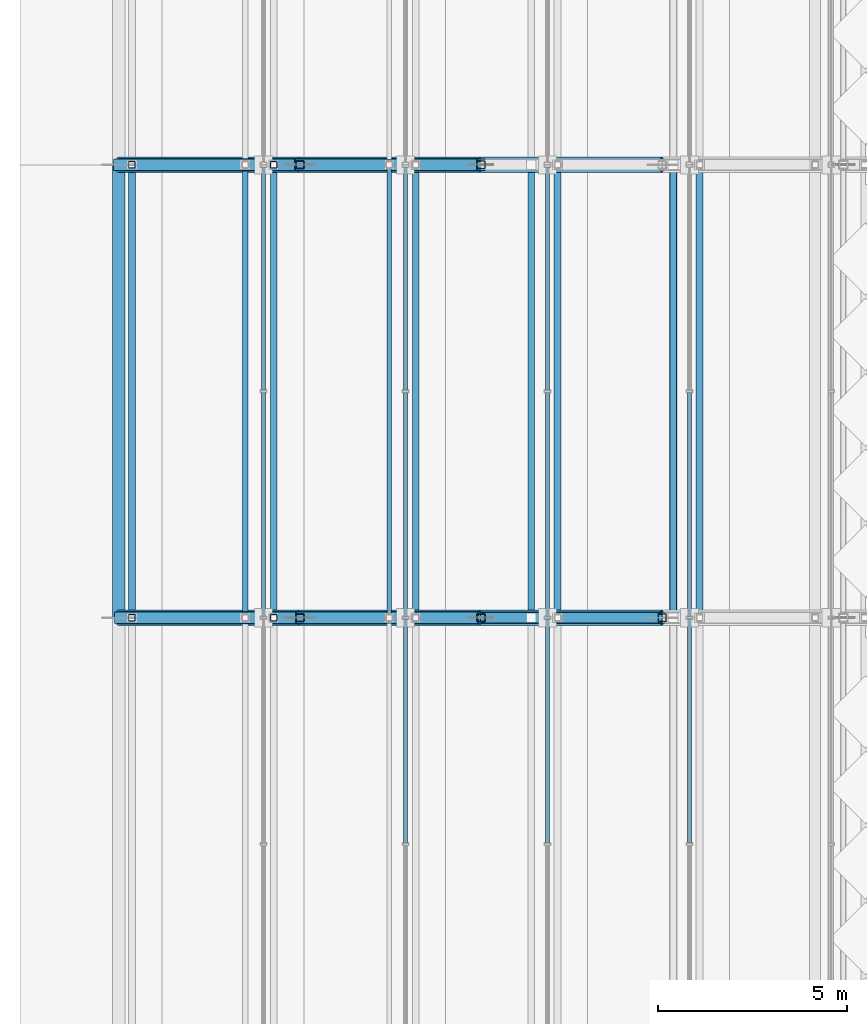
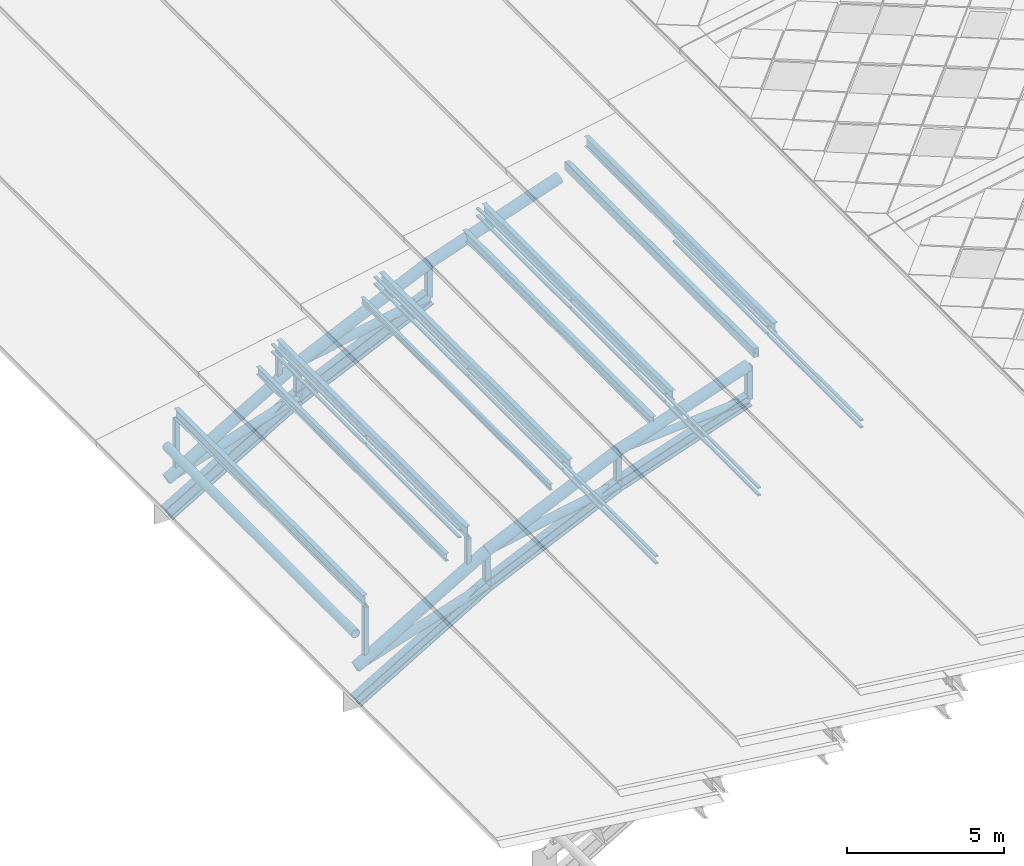
# One storey, part 15 of 117: 54 members, 1 beam, 4 elements without a shape of their own.
"""IFC4 building model written with IfcOpenShell, lengths in metres."""

import ifcopenshell
import ifcopenshell.guid

model = None  # the IFC model being written
_history = None  # IfcOwnerHistory: only IFC2X3 demands one
_inside = {}  # id of a spatial element -> (the spatial element, [elements in it])
_under = {}  # id of a project, library or spatial element -> (it, [spatial elements below it])
_declared = {}  # id of a project -> (the project, [libraries it declares])
_typed = {}  # id of a type object -> (the type object, [elements of that type])
_made_of = {}  # id of a material, layer set ... -> (it, [elements and type objects made of it])


def new_model(schema):
    """Start an empty IFC model of exactly this schema.

    Asked for "IFC4X3", IfcOpenShell would pick the latest addendum, in which some entities
    have other attributes; the version numbers below select the first issue.
    IFC2X3 requires an IfcOwnerHistory on every rooted entity: one is made here for all.
    """
    global model, _history
    if schema == "IFC4X3":
        model = ifcopenshell.file(schema_version=(4, 3, 0, 0))
    else:
        model = ifcopenshell.file(schema=schema)
    _inside.clear()
    _under.clear()
    _declared.clear()
    _typed.clear()
    _made_of.clear()
    _history = None
    if model.schema == "IFC2X3":
        org = make("IfcOrganization", Name="unknown")
        user = make(
            "IfcPersonAndOrganization",
            ThePerson=make("IfcPerson", FamilyName="unknown"),
            TheOrganization=org,
        )
        app = make(
            "IfcApplication",
            ApplicationDeveloper=org,
            Version="unknown",
            ApplicationFullName="unknown",
            ApplicationIdentifier="unknown",
        )
        _history = make(
            "IfcOwnerHistory",
            OwningUser=user,
            OwningApplication=app,
            ChangeAction="ADDED",
            CreationDate=0,
        )
    return model


def make(cls, **values):
    """One entity of the class cls with the attributes given. An attribute that is None is left unset."""
    return model.create_entity(
        cls, **{name: value for name, value in values.items() if value is not None}
    )


def rooted(cls, **values):
    """An entity with a GlobalId (a new one), such as an element, a storey or a relation."""
    return make(cls, GlobalId=ifcopenshell.guid.new(), OwnerHistory=_history, **values)


def si_unit(unit_type, name, prefix=None):
    """IfcSIUnit, for example si_unit("LENGTHUNIT", "METRE", prefix="MILLI")."""
    return make("IfcSIUnit", UnitType=unit_type, Prefix=prefix, Name=name)


def assignment(units):
    """IfcUnitAssignment: the units of a project."""
    return None if units is None else make("IfcUnitAssignment", Units=units)


def point(xyz):
    """IfcCartesianPoint."""
    return None if xyz is None else make("IfcCartesianPoint", Coordinates=xyz)


def direction(xyz):
    """IfcDirection."""
    return None if xyz is None else make("IfcDirection", DirectionRatios=xyz)


def frame(location, z_axis=None, x_axis=None):
    """IfcAxis2Placement3D, a coordinate frame: its origin and axes. An axis left out is left unset."""
    return make(
        "IfcAxis2Placement3D",
        Location=point(location),
        Axis=direction(z_axis),
        RefDirection=direction(x_axis),
    )


def frame_2d(location, x_axis=None):
    """IfcAxis2Placement2D, a coordinate frame in the plane: its origin and x axis."""
    return make(
        "IfcAxis2Placement2D", Location=point(location), RefDirection=direction(x_axis)
    )


def origin():
    """The frame at (0, 0, 0) with its axes left unset."""
    return frame((0.0, 0.0, 0.0))


def origin_2d():
    """The frame at (0, 0) in the plane with its x axis left unset."""
    return frame_2d((0.0, 0.0))


def place(relative_to, where):
    """IfcLocalPlacement: puts the frame where relative to a parent placement (None: the world)."""
    return make(
        "IfcLocalPlacement", PlacementRelTo=relative_to, RelativePlacement=where
    )


def context(
    kind, dimensions, precision=None, world=None, true_north=None, identifier=None
):
    """IfcGeometricRepresentationContext, for example the 3D "Model" context."""
    return make(
        "IfcGeometricRepresentationContext",
        ContextIdentifier=identifier,
        ContextType=kind,
        CoordinateSpaceDimension=dimensions,
        Precision=precision,
        WorldCoordinateSystem=world,
        TrueNorth=true_north,
    )


def subcontext(parent, identifier, kind, view, scale=None):
    """IfcGeometricRepresentationSubContext, for example "Body" below "Model"."""
    return make(
        "IfcGeometricRepresentationSubContext",
        ContextIdentifier=identifier,
        ContextType=kind,
        ParentContext=parent,
        TargetScale=scale,
        TargetView=view,
    )


def project(units=None, contexts=None):
    """IfcProject with its units and contexts."""
    return rooted(
        "IfcProject",
        Name="project",
        RepresentationContexts=contexts,
        UnitsInContext=assignment(units),
    )


def spatial(cls, under=None, at=None, **own):
    """A site, building, storey or space (cls), placed at a placement, below another one or the project."""
    s = rooted(cls, ObjectPlacement=at, **own)
    if under is not None:
        _under.setdefault(under.id(), (under, []))[1].append(s)
    return s


def profile(cls, at=None, kind="AREA", **sizes):
    """A parametric profile (cls). Its sizes go by their IFC names, for example OverallWidth=200.0."""
    return make(cls, ProfileType=kind, Position=at, **sizes)


def hollow_rectangle(**sizes):
    """IfcRectangleHollowProfileDef."""
    return profile("IfcRectangleHollowProfileDef", **sizes)


def hollow_circle(**sizes):
    """IfcCircleHollowProfileDef."""
    return profile("IfcCircleHollowProfileDef", **sizes)


def i_section(**sizes):
    """IfcIShapeProfileDef."""
    return profile("IfcIShapeProfileDef", **sizes)


def extrude(swept, where, along, depth):
    """IfcExtrudedAreaSolid: the profile swept, set in the frame where, extruded along a direction by depth."""
    return make(
        "IfcExtrudedAreaSolid",
        SweptArea=swept,
        Position=where,
        ExtrudedDirection=direction(along),
        Depth=depth,
    )


def shape(context_of_items, identifier, shape_type, items):
    """IfcShapeRepresentation: the items that make up one representation, for example the "Body"."""
    return make(
        "IfcShapeRepresentation",
        ContextOfItems=context_of_items,
        RepresentationIdentifier=identifier,
        RepresentationType=shape_type,
        Items=items,
    )


def material(Name=None, Category=None):
    """IfcMaterial."""
    return make("IfcMaterial", Name=Name, Category=Category)


def material_profile(
    of_material, cross_section, Name=None, Category=None, Priority=None
):
    """IfcMaterialProfile: a cross section and its material."""
    return make(
        "IfcMaterialProfile",
        Name=Name,
        Material=of_material,
        Profile=cross_section,
        Priority=Priority,
        Category=Category,
    )


def profile_set(profiles, Name=None, composite=None):
    """IfcMaterialProfileSet."""
    return make(
        "IfcMaterialProfileSet",
        Name=Name,
        MaterialProfiles=profiles,
        CompositeProfile=composite,
    )


def made_of(thing, what):
    """Note that an element or type object is made of a material, layer set ...; save() writes the relation."""
    if what is not None:
        _made_of.setdefault(what.id(), (what, []))[1].append(thing)
    return thing


def type_object(cls, material=None, **own):
    """A type object (cls), such as IfcWallType, which elements share."""
    return made_of(rooted(cls, **own), material)


def element(
    cls,
    number,
    at=None,
    inside=None,
    cuts=None,
    type_object=None,
    material=None,
    context=None,
    identifier="Body",
    shape_type=None,
    held_by="IfcProductDefinitionShape",
    body=None,
    shapes=None,
    **own,
):
    """One element of the class cls, such as IfcWall. Its Tag is "e" and its number.

    at: its placement. inside: the storey or other place that contains it. cuts: it is an
    opening in that element (IfcRelVoidsElement). A single representation is given by context,
    identifier, shape_type and body (its items); several are given by shapes. held_by: the class
    of the entity that holds the representations. save() writes the other relations.
    """
    e = rooted(cls, Tag="e%d" % number, ObjectPlacement=at, **own)
    if body is not None:
        shapes = [shape(context, identifier, shape_type, body)]
    if shapes is not None:
        e.Representation = make(held_by, Representations=shapes)
    if inside is not None:
        _inside.setdefault(inside.id(), (inside, []))[1].append(e)
    if cuts is not None:
        rooted(
            "IfcRelVoidsElement", RelatingBuildingElement=cuts, RelatedOpeningElement=e
        )
    if type_object is not None:
        _typed.setdefault(type_object.id(), (type_object, []))[1].append(e)
    return made_of(e, material)


def aggregate(whole, parts):
    """IfcRelAggregates: a whole, such as a stair, and the parts it consists of."""
    return rooted("IfcRelAggregates", RelatingObject=whole, RelatedObjects=parts)


def save(model, path):
    """Write the relations noted so far, then the file.

    IfcRelAggregates (storeys below a building ...), IfcRelContainedInSpatialStructure (elements
    in a storey), IfcRelDefinesByType, IfcRelAssociatesMaterial and IfcRelDeclares: one each for
    every whole, place, type object, material and project.
    """
    for whole, parts in _under.values():
        aggregate(whole, parts)
    for where, things in _inside.values():
        rooted(
            "IfcRelContainedInSpatialStructure",
            RelatedElements=things,
            RelatingStructure=where,
        )
    for kind, things in _typed.values():
        rooted("IfcRelDefinesByType", RelatedObjects=things, RelatingType=kind)
    for what, things in _made_of.values():
        rooted("IfcRelAssociatesMaterial", RelatedObjects=things, RelatingMaterial=what)
    for by, libraries in _declared.values():
        rooted("IfcRelDeclares", RelatingContext=by, RelatedDefinitions=libraries)
    model.write(path)


model = new_model("IFC4")

# Units and contexts
model_context = context("Model", 3, precision=1e-05, world=origin(), true_north=direction((0.0, 1.0)))
body_context = subcontext(model_context, "Body", "Model", "MODEL_VIEW")
ifc_project = project(units=[si_unit("LENGTHUNIT", "METRE"), si_unit("AREAUNIT", "SQUARE_METRE"), si_unit("VOLUMEUNIT", "CUBIC_METRE"), si_unit("PLANEANGLEUNIT", "RADIAN"), si_unit("MASSUNIT", "GRAM", prefix="KILO")], contexts=[model_context])

# Site, building, storey
site_placement = place(None, origin())
site = spatial("IfcSite", under=ifc_project, at=site_placement, CompositionType="ELEMENT")
building_placement = place(site_placement, origin())
building = spatial("IfcBuilding", under=site, at=building_placement, Name="Merenkruunu Market Hall", CompositionType="ELEMENT")
storey_placement = place(building_placement, frame((0.0, 0.0, 22.800048828125)))
storey = spatial("IfcBuildingStorey", under=building, at=storey_placement, Name="RF", CompositionType="ELEMENT", Elevation=22.800048828125)

# Members
ifc_material_1 = material(Name="Steel S355ML", Category="steel")
ifc_material_profile_1 = material_profile(ifc_material_1, hollow_circle(Radius=0.203125, WallThickness=0.01611328125, at=origin_2d()), Name="CHS 406.4x16")
ifc_profile_set_1 = profile_set([ifc_material_profile_1], Name="Steel S355ML")
member_type_1 = type_object("IfcMemberType", Name="Arch Truss Chord TC02", PredefinedType="CHORD", material=ifc_profile_set_1)
member_1_placement = place(storey_placement, frame((0.0, 51.60009765625, -10.150146484375), z_axis=(0.861115679414, 0.0, 0.508409074139), x_axis=(0.0, 1.0, 0.0)))
element("IfcMember", 1, at=member_1_placement, inside=storey, type_object=member_type_1, Name="TRUSS-AT-4-TOP-01", PredefinedType="CHORD", context=body_context, shape_type="SweptSolid", body=[
    extrude(hollow_circle(Radius=0.203125, WallThickness=0.01611328125, at=origin_2d()), origin(), (0.0, 0.0, 1.0), 5.57421875),
])
member_2_placement = place(storey_placement, frame((4.800048828125, 51.60009765625, -7.316162109375), z_axis=(0.909419998666, 0.0, 0.415878907889), x_axis=(0.0, 1.0, 0.0)))
element("IfcMember", 2, at=member_2_placement, inside=storey, type_object=member_type_1, Name="TRUSS-AT-4-TOP-02", PredefinedType="CHORD", context=body_context, shape_type="SweptSolid", body=[
    extrude(hollow_circle(Radius=0.203125, WallThickness=0.01611328125, at=origin_2d()), origin(), (0.0, 0.0, 1.0), 5.278076171875),
])
member_3_placement = place(storey_placement, frame((9.60009765625, 51.60009765625, -5.12109375), z_axis=(0.946219828174, 0.0, 0.323524399033), x_axis=(0.0, 1.0, 0.0)))
element("IfcMember", 3, at=member_3_placement, inside=storey, type_object=member_type_1, Name="TRUSS-AT-4-TOP-03", PredefinedType="CHORD", context=body_context, shape_type="SweptSolid", body=[
    extrude(hollow_circle(Radius=0.203125, WallThickness=0.01611328125, at=origin_2d()), origin(), (0.0, 0.0, 1.0), 5.072509765625),
])
member_4_placement = place(storey_placement, frame((0.0, 63.60009765625, -10.150146484375), z_axis=(0.861115679414, 0.0, 0.508409074139), x_axis=(0.0, 1.0, 0.0)))
element("IfcMember", 4, at=member_4_placement, inside=storey, type_object=member_type_1, Name="TRUSS-AT-5-TOP-01", PredefinedType="CHORD", context=body_context, shape_type="SweptSolid", body=[
    extrude(hollow_circle(Radius=0.203125, WallThickness=0.01611328125, at=origin_2d()), origin(), (0.0, 0.0, 1.0), 5.57421875),
])
member_5_placement = place(storey_placement, frame((4.800048828125, 63.60009765625, -7.316162109375), z_axis=(0.909419998666, 0.0, 0.415878907889), x_axis=(0.0, 1.0, 0.0)))
element("IfcMember", 5, at=member_5_placement, inside=storey, type_object=member_type_1, Name="TRUSS-AT-5-TOP-02", PredefinedType="CHORD", context=body_context, shape_type="SweptSolid", body=[
    extrude(hollow_circle(Radius=0.203125, WallThickness=0.01611328125, at=origin_2d()), origin(), (0.0, 0.0, 1.0), 5.278076171875),
])
member_6_placement = place(storey_placement, frame((9.60009765625, 63.60009765625, -5.12109375), z_axis=(0.946219828174, 0.0, 0.323524399033), x_axis=(0.0, 1.0, 0.0)))
element("IfcMember", 6, at=member_6_placement, inside=storey, type_object=member_type_1, Name="TRUSS-AT-5-TOP-03", PredefinedType="CHORD", context=body_context, shape_type="SweptSolid", body=[
    extrude(hollow_circle(Radius=0.203125, WallThickness=0.01611328125, at=origin_2d()), origin(), (0.0, 0.0, 1.0), 5.072509765625),
])
ifc_material_profile_2 = material_profile(ifc_material_1, i_section(OverallWidth=0.300048828125, OverallDepth=0.550048828125, WebThickness=0.014892578125, FlangeThickness=0.029052734375, FilletRadius=0.027099609375, at=origin_2d()), Name="HEB 550")
ifc_profile_set_2 = profile_set([ifc_material_profile_2], Name="Steel S355ML")
member_type_2 = type_object("IfcMemberType", Name="Arch Truss Chord TC03", PredefinedType="CHORD", material=ifc_profile_set_2)
member_7_placement = place(storey_placement, frame((0.0, 63.60009765625, -11.449951171875), z_axis=(0.861115679414, 0.0, 0.508409074139), x_axis=(0.0, 1.0, 0.0)))
element("IfcMember", 7, at=member_7_placement, inside=storey, type_object=member_type_2, Name="TRUSS-AT-5-BOT-01", PredefinedType="CHORD", context=body_context, shape_type="SweptSolid", body=[
    extrude(i_section(OverallWidth=0.300048828125, OverallDepth=0.550048828125, WebThickness=0.014892578125, FlangeThickness=0.029052734375, FilletRadius=0.027099609375, at=origin_2d()), origin(), (0.0, 0.0, 1.0), 5.57421875),
])
member_8_placement = place(storey_placement, frame((4.800048828125, 63.60009765625, -8.615966796875), z_axis=(0.909437492245, 0.0, 0.415840651812), x_axis=(0.0, 1.0, 0.0)))
element("IfcMember", 8, at=member_8_placement, inside=storey, type_object=member_type_2, Name="TRUSS-AT-5-BOT-02", PredefinedType="CHORD", context=body_context, shape_type="SweptSolid", body=[
    extrude(i_section(OverallWidth=0.300048828125, OverallDepth=0.550048828125, WebThickness=0.014892578125, FlangeThickness=0.029052734375, FilletRadius=0.027099609375, at=origin_2d()), origin(), (0.0, 0.0, 1.0), 5.278076171875),
])
ifc_material_profile_3 = material_profile(ifc_material_1, i_section(OverallWidth=0.300048828125, OverallDepth=0.449951171875, WebThickness=0.013916015625, FlangeThickness=0.02587890625, FilletRadius=0.027099609375, at=origin_2d()), Name="HEB 450")
ifc_profile_set_3 = profile_set([ifc_material_profile_3], Name="Steel S355ML")
member_type_3 = type_object("IfcMemberType", Name="Arch Truss Chord TC04", PredefinedType="CHORD", material=ifc_profile_set_3)
member_9_placement = place(storey_placement, frame((0.0, 51.60009765625, -11.449951171875), z_axis=(0.861115679414, 0.0, 0.508409074139), x_axis=(0.0, 1.0, 0.0)))
element("IfcMember", 9, at=member_9_placement, inside=storey, type_object=member_type_3, Name="TRUSS-AT-4-BOT-01", PredefinedType="CHORD", context=body_context, shape_type="SweptSolid", body=[
    extrude(i_section(OverallWidth=0.300048828125, OverallDepth=0.449951171875, WebThickness=0.013916015625, FlangeThickness=0.02587890625, FilletRadius=0.027099609375, at=origin_2d()), origin(), (0.0, 0.0, 1.0), 5.57421875),
])
member_10_placement = place(storey_placement, frame((4.800048828125, 51.60009765625, -8.615966796875), z_axis=(0.909437492245, 0.0, 0.415840651812), x_axis=(0.0, 1.0, 0.0)))
element("IfcMember", 10, at=member_10_placement, inside=storey, type_object=member_type_3, Name="TRUSS-AT-4-BOT-02", PredefinedType="CHORD", context=body_context, shape_type="SweptSolid", body=[
    extrude(i_section(OverallWidth=0.300048828125, OverallDepth=0.449951171875, WebThickness=0.013916015625, FlangeThickness=0.02587890625, FilletRadius=0.027099609375, at=origin_2d()), origin(), (0.0, 0.0, 1.0), 5.278076171875),
])
member_11_placement = place(storey_placement, frame((9.60009765625, 51.60009765625, -6.421142578125), z_axis=(0.946219828174, 0.0, 0.323524399033), x_axis=(0.0, 1.0, 0.0)))
element("IfcMember", 11, at=member_11_placement, inside=storey, type_object=member_type_3, Name="TRUSS-AT-4-BOT-03", PredefinedType="CHORD", context=body_context, shape_type="SweptSolid", body=[
    extrude(i_section(OverallWidth=0.300048828125, OverallDepth=0.449951171875, WebThickness=0.013916015625, FlangeThickness=0.02587890625, FilletRadius=0.027099609375, at=origin_2d()), origin(), (0.0, 0.0, 1.0), 5.072509765625),
])

# Curtain wall, members
ifc_material_2 = material(Name="Powder-coated aluminium", Category="aluminium")
curtain_wall_type = type_object("IfcCurtainWallType", Name="Clerestory Curtain Band CL05", PredefinedType="USERDEFINED", material=ifc_material_2)
curtain_wall_1_placement = place(storey_placement, origin())
curtain_wall_1 = element("IfcCurtainWall", 12, at=curtain_wall_1_placement, inside=storey, type_object=curtain_wall_type, Name="CW-RF-CWM04-083", ObjectType="CLERESTORY_BAND", PredefinedType="USERDEFINED")
ifc_material_profile_4 = material_profile(ifc_material_2, hollow_rectangle(XDim=0.06005859375, YDim=0.110107421875, WallThickness=0.00390625, at=origin_2d()), Name="ALU 60x110x4")
ifc_profile_set_4 = profile_set([ifc_material_profile_4], Name="Powder-coated aluminium")
member_type_4 = type_object("IfcMemberType", Name="Curtain Wall Transom CWT03", PredefinedType="USERDEFINED", material=ifc_profile_set_4)
member_12_placement = place(storey_placement, frame((3.840087890625, 51.635009765625, -6.491943359375), z_axis=(0.0, 1.0, 0.0), x_axis=(0.0, 0.0, 1.0)))
member_12 = element("IfcMember", 13, at=member_12_placement, type_object=member_type_4, Name="CL05 transom 3.1", ObjectType="TRANSOM", PredefinedType="USERDEFINED", context=body_context, shape_type="SweptSolid", body=[
    extrude(hollow_rectangle(XDim=0.06005859375, YDim=0.110107421875, WallThickness=0.00390625, at=origin_2d()), origin(), (0.0, 0.0, 1.0), 5.929931640625),
])
member_13_placement = place(storey_placement, frame((3.840087890625, 51.635009765625, -6.2041015625), z_axis=(0.0, 1.0, 0.0), x_axis=(0.0, 0.0, 1.0)))
member_13 = element("IfcMember", 14, at=member_13_placement, type_object=member_type_4, Name="CL05 transom 3.2", ObjectType="TRANSOM", PredefinedType="USERDEFINED", context=body_context, shape_type="SweptSolid", body=[
    extrude(hollow_rectangle(XDim=0.06005859375, YDim=0.110107421875, WallThickness=0.00390625, at=origin_2d()), origin(), (0.0, 0.0, 1.0), 5.929931640625),
])
member_14_placement = place(storey_placement, frame((3.840087890625, 57.635009765625, -6.491943359375), z_axis=(0.0, 1.0, 0.0), x_axis=(0.0, 0.0, 1.0)))
member_14 = element("IfcMember", 15, at=member_14_placement, type_object=member_type_4, Name="CL05 transom 4.1", ObjectType="TRANSOM", PredefinedType="USERDEFINED", context=body_context, shape_type="SweptSolid", body=[
    extrude(hollow_rectangle(XDim=0.06005859375, YDim=0.110107421875, WallThickness=0.00390625, at=origin_2d()), origin(), (0.0, 0.0, 1.0), 5.89501953125),
])
member_15_placement = place(storey_placement, frame((3.840087890625, 57.635009765625, -6.2041015625), z_axis=(0.0, 1.0, 0.0), x_axis=(0.0, 0.0, 1.0)))
member_15 = element("IfcMember", 16, at=member_15_placement, type_object=member_type_4, Name="CL05 transom 4.2", ObjectType="TRANSOM", PredefinedType="USERDEFINED", context=body_context, shape_type="SweptSolid", body=[
    extrude(hollow_rectangle(XDim=0.06005859375, YDim=0.110107421875, WallThickness=0.00390625, at=origin_2d()), origin(), (0.0, 0.0, 1.0), 5.89501953125),
])
aggregate(curtain_wall_1, [member_12, member_13, member_14, member_15])

curtain_wall_2_placement = place(storey_placement, origin())
curtain_wall_2 = element("IfcCurtainWall", 17, at=curtain_wall_2_placement, inside=storey, type_object=curtain_wall_type, Name="CW-RF-CWM04-091", ObjectType="CLERESTORY_BAND", PredefinedType="USERDEFINED")
member_16_placement = place(storey_placement, frame((7.60009765625, 45.635009765625, -5.172119140625), z_axis=(0.0, 1.0, 0.0), x_axis=(0.0, 0.0, 1.0)))
member_16 = element("IfcMember", 18, at=member_16_placement, type_object=member_type_4, Name="CL05 transom 2.1", ObjectType="TRANSOM", PredefinedType="USERDEFINED", context=body_context, shape_type="SweptSolid", body=[
    extrude(hollow_rectangle(XDim=0.06005859375, YDim=0.110107421875, WallThickness=0.00390625, at=origin_2d()), origin(), (0.0, 0.0, 1.0), 5.929931640625),
])
member_17_placement = place(storey_placement, frame((7.60009765625, 45.635009765625, -4.905029296875), z_axis=(0.0, 1.0, 0.0), x_axis=(0.0, 0.0, 1.0)))
member_17 = element("IfcMember", 19, at=member_17_placement, type_object=member_type_4, Name="CL05 transom 2.2", ObjectType="TRANSOM", PredefinedType="USERDEFINED", context=body_context, shape_type="SweptSolid", body=[
    extrude(hollow_rectangle(XDim=0.06005859375, YDim=0.110107421875, WallThickness=0.00390625, at=origin_2d()), origin(), (0.0, 0.0, 1.0), 5.929931640625),
])
member_18_placement = place(storey_placement, frame((7.60009765625, 51.635009765625, -5.172119140625), z_axis=(0.0, 1.0, 0.0), x_axis=(0.0, 0.0, 1.0)))
member_18 = element("IfcMember", 20, at=member_18_placement, type_object=member_type_4, Name="CL05 transom 3.1", ObjectType="TRANSOM", PredefinedType="USERDEFINED", context=body_context, shape_type="SweptSolid", body=[
    extrude(hollow_rectangle(XDim=0.06005859375, YDim=0.110107421875, WallThickness=0.00390625, at=origin_2d()), origin(), (0.0, 0.0, 1.0), 5.929931640625),
])
member_19_placement = place(storey_placement, frame((7.60009765625, 51.635009765625, -4.905029296875), z_axis=(0.0, 1.0, 0.0), x_axis=(0.0, 0.0, 1.0)))
member_19 = element("IfcMember", 21, at=member_19_placement, type_object=member_type_4, Name="CL05 transom 3.2", ObjectType="TRANSOM", PredefinedType="USERDEFINED", context=body_context, shape_type="SweptSolid", body=[
    extrude(hollow_rectangle(XDim=0.06005859375, YDim=0.110107421875, WallThickness=0.00390625, at=origin_2d()), origin(), (0.0, 0.0, 1.0), 5.929931640625),
])
member_20_placement = place(storey_placement, frame((7.60009765625, 57.635009765625, -5.172119140625), z_axis=(0.0, 1.0, 0.0), x_axis=(0.0, 0.0, 1.0)))
member_20 = element("IfcMember", 22, at=member_20_placement, type_object=member_type_4, Name="CL05 transom 4.1", ObjectType="TRANSOM", PredefinedType="USERDEFINED", context=body_context, shape_type="SweptSolid", body=[
    extrude(hollow_rectangle(XDim=0.06005859375, YDim=0.110107421875, WallThickness=0.00390625, at=origin_2d()), origin(), (0.0, 0.0, 1.0), 5.89501953125),
])
member_21_placement = place(storey_placement, frame((7.60009765625, 57.635009765625, -4.905029296875), z_axis=(0.0, 1.0, 0.0), x_axis=(0.0, 0.0, 1.0)))
member_21 = element("IfcMember", 23, at=member_21_placement, type_object=member_type_4, Name="CL05 transom 4.2", ObjectType="TRANSOM", PredefinedType="USERDEFINED", context=body_context, shape_type="SweptSolid", body=[
    extrude(hollow_rectangle(XDim=0.06005859375, YDim=0.110107421875, WallThickness=0.00390625, at=origin_2d()), origin(), (0.0, 0.0, 1.0), 5.89501953125),
])
aggregate(curtain_wall_2, [member_16, member_17, member_18, member_19, member_20, member_21])

curtain_wall_3_placement = place(storey_placement, origin())
curtain_wall_3 = element("IfcCurtainWall", 24, at=curtain_wall_3_placement, inside=storey, type_object=curtain_wall_type, Name="CW-RF-CWM04-099", ObjectType="CLERESTORY_BAND", PredefinedType="USERDEFINED")
member_22_placement = place(storey_placement, frame((11.360107421875, 45.635009765625, -3.85205078125), z_axis=(0.0, 1.0, 0.0), x_axis=(0.0, 0.0, 1.0)))
member_22 = element("IfcMember", 25, at=member_22_placement, type_object=member_type_4, Name="CL05 transom 2.1", ObjectType="TRANSOM", PredefinedType="USERDEFINED", context=body_context, shape_type="SweptSolid", body=[
    extrude(hollow_rectangle(XDim=0.06005859375, YDim=0.110107421875, WallThickness=0.00390625, at=origin_2d()), origin(), (0.0, 0.0, 1.0), 5.929931640625),
])
member_23_placement = place(storey_placement, frame((11.360107421875, 45.635009765625, -3.56396484375), z_axis=(0.0, 1.0, 0.0), x_axis=(0.0, 0.0, 1.0)))
member_23 = element("IfcMember", 26, at=member_23_placement, type_object=member_type_4, Name="CL05 transom 2.2", ObjectType="TRANSOM", PredefinedType="USERDEFINED", context=body_context, shape_type="SweptSolid", body=[
    extrude(hollow_rectangle(XDim=0.06005859375, YDim=0.110107421875, WallThickness=0.00390625, at=origin_2d()), origin(), (0.0, 0.0, 1.0), 5.929931640625),
])
member_24_placement = place(storey_placement, frame((11.360107421875, 51.635009765625, -3.85205078125), z_axis=(0.0, 1.0, 0.0), x_axis=(0.0, 0.0, 1.0)))
member_24 = element("IfcMember", 27, at=member_24_placement, type_object=member_type_4, Name="CL05 transom 3.1", ObjectType="TRANSOM", PredefinedType="USERDEFINED", context=body_context, shape_type="SweptSolid", body=[
    extrude(hollow_rectangle(XDim=0.06005859375, YDim=0.110107421875, WallThickness=0.00390625, at=origin_2d()), origin(), (0.0, 0.0, 1.0), 5.929931640625),
])
member_25_placement = place(storey_placement, frame((11.360107421875, 51.635009765625, -3.56396484375), z_axis=(0.0, 1.0, 0.0), x_axis=(0.0, 0.0, 1.0)))
member_25 = element("IfcMember", 28, at=member_25_placement, type_object=member_type_4, Name="CL05 transom 3.2", ObjectType="TRANSOM", PredefinedType="USERDEFINED", context=body_context, shape_type="SweptSolid", body=[
    extrude(hollow_rectangle(XDim=0.06005859375, YDim=0.110107421875, WallThickness=0.00390625, at=origin_2d()), origin(), (0.0, 0.0, 1.0), 5.929931640625),
])
member_26_placement = place(storey_placement, frame((11.360107421875, 57.635009765625, -3.85205078125), z_axis=(0.0, 1.0, 0.0), x_axis=(0.0, 0.0, 1.0)))
member_26 = element("IfcMember", 29, at=member_26_placement, type_object=member_type_4, Name="CL05 transom 4.1", ObjectType="TRANSOM", PredefinedType="USERDEFINED", context=body_context, shape_type="SweptSolid", body=[
    extrude(hollow_rectangle(XDim=0.06005859375, YDim=0.110107421875, WallThickness=0.00390625, at=origin_2d()), origin(), (0.0, 0.0, 1.0), 5.89501953125),
])
member_27_placement = place(storey_placement, frame((11.360107421875, 57.635009765625, -3.56396484375), z_axis=(0.0, 1.0, 0.0), x_axis=(0.0, 0.0, 1.0)))
member_27 = element("IfcMember", 30, at=member_27_placement, type_object=member_type_4, Name="CL05 transom 4.2", ObjectType="TRANSOM", PredefinedType="USERDEFINED", context=body_context, shape_type="SweptSolid", body=[
    extrude(hollow_rectangle(XDim=0.06005859375, YDim=0.110107421875, WallThickness=0.00390625, at=origin_2d()), origin(), (0.0, 0.0, 1.0), 5.89501953125),
])
aggregate(curtain_wall_3, [member_22, member_23, member_24, member_25, member_26, member_27])

curtain_wall_4_placement = place(storey_placement, origin())
curtain_wall_4 = element("IfcCurtainWall", 31, at=curtain_wall_4_placement, inside=storey, type_object=curtain_wall_type, Name="CW-RF-CWM04-107", ObjectType="CLERESTORY_BAND", PredefinedType="USERDEFINED")
member_28_placement = place(storey_placement, frame((15.1201171875, 45.635009765625, -2.531982421875), z_axis=(0.0, 1.0, 0.0), x_axis=(0.0, 0.0, 1.0)))
member_28 = element("IfcMember", 32, at=member_28_placement, type_object=member_type_4, Name="CL05 transom 2.1", ObjectType="TRANSOM", PredefinedType="USERDEFINED", context=body_context, shape_type="SweptSolid", body=[
    extrude(hollow_rectangle(XDim=0.06005859375, YDim=0.110107421875, WallThickness=0.00390625, at=origin_2d()), origin(), (0.0, 0.0, 1.0), 5.929931640625),
])
member_29_placement = place(storey_placement, frame((15.1201171875, 45.635009765625, -2.26513671875), z_axis=(0.0, 1.0, 0.0), x_axis=(0.0, 0.0, 1.0)))
member_29 = element("IfcMember", 33, at=member_29_placement, type_object=member_type_4, Name="CL05 transom 2.2", ObjectType="TRANSOM", PredefinedType="USERDEFINED", context=body_context, shape_type="SweptSolid", body=[
    extrude(hollow_rectangle(XDim=0.06005859375, YDim=0.110107421875, WallThickness=0.00390625, at=origin_2d()), origin(), (0.0, 0.0, 1.0), 5.929931640625),
])
member_30_placement = place(storey_placement, frame((15.1201171875, 51.635009765625, -2.531982421875), z_axis=(0.0, 1.0, 0.0), x_axis=(0.0, 0.0, 1.0)))
member_30 = element("IfcMember", 34, at=member_30_placement, type_object=member_type_4, Name="CL05 transom 3.1", ObjectType="TRANSOM", PredefinedType="USERDEFINED", context=body_context, shape_type="SweptSolid", body=[
    extrude(hollow_rectangle(XDim=0.06005859375, YDim=0.110107421875, WallThickness=0.00390625, at=origin_2d()), origin(), (0.0, 0.0, 1.0), 5.929931640625),
])
member_31_placement = place(storey_placement, frame((15.1201171875, 51.635009765625, -2.26513671875), z_axis=(0.0, 1.0, 0.0), x_axis=(0.0, 0.0, 1.0)))
member_31 = element("IfcMember", 35, at=member_31_placement, type_object=member_type_4, Name="CL05 transom 3.2", ObjectType="TRANSOM", PredefinedType="USERDEFINED", context=body_context, shape_type="SweptSolid", body=[
    extrude(hollow_rectangle(XDim=0.06005859375, YDim=0.110107421875, WallThickness=0.00390625, at=origin_2d()), origin(), (0.0, 0.0, 1.0), 5.929931640625),
])
aggregate(curtain_wall_4, [member_28, member_29, member_30, member_31])

# Members
ifc_material_profile_5 = material_profile(ifc_material_1, hollow_circle(Radius=0.161865234375, WallThickness=0.01611328125, at=origin_2d()), Name="CHS 323.9x16")
ifc_profile_set_5 = profile_set([ifc_material_profile_5], Name="Steel S355ML")
member_type_5 = type_object("IfcMemberType", Name="Diagonal Sway Brace BR01", PredefinedType="BRACE", material=ifc_profile_set_5)
member_32_placement = place(storey_placement, frame((0.0, 51.60009765625, -10.150146484375), z_axis=(0.95252984503, 0.0, 0.304445223853), x_axis=(0.0, 1.0, 0.0)))
element("IfcMember", 36, at=member_32_placement, inside=storey, type_object=member_type_5, Name="TRUSS-AT-4-DIAG-01", PredefinedType="BRACE", context=body_context, shape_type="SweptSolid", body=[
    extrude(hollow_circle(Radius=0.161865234375, WallThickness=0.01611328125, at=origin_2d()), origin(), (0.0, 0.0, 1.0), 5.039306640625),
])
member_33_placement = place(storey_placement, frame((4.800048828125, 51.60009765625, -7.316162109375), z_axis=(0.983056786802, 0.0, 0.18330126547), x_axis=(0.0, 1.0, 0.0)))
element("IfcMember", 37, at=member_33_placement, inside=storey, type_object=member_type_5, Name="TRUSS-AT-4-DIAG-02", PredefinedType="BRACE", context=body_context, shape_type="SweptSolid", body=[
    extrude(hollow_circle(Radius=0.161865234375, WallThickness=0.01611328125, at=origin_2d()), origin(), (0.0, 0.0, 1.0), 4.8828125),
])
member_34_placement = place(storey_placement, frame((0.0, 63.60009765625, -10.150146484375), z_axis=(0.95252984503, 0.0, 0.304445223853), x_axis=(0.0, 1.0, 0.0)))
element("IfcMember", 38, at=member_34_placement, inside=storey, type_object=member_type_5, Name="TRUSS-AT-5-DIAG-01", PredefinedType="BRACE", context=body_context, shape_type="SweptSolid", body=[
    extrude(hollow_circle(Radius=0.161865234375, WallThickness=0.01611328125, at=origin_2d()), origin(), (0.0, 0.0, 1.0), 5.039306640625),
])
member_35_placement = place(storey_placement, frame((4.800048828125, 63.60009765625, -7.316162109375), z_axis=(0.983056786802, 0.0, 0.18330126547), x_axis=(0.0, 1.0, 0.0)))
element("IfcMember", 39, at=member_35_placement, inside=storey, type_object=member_type_5, Name="TRUSS-AT-5-DIAG-02", PredefinedType="BRACE", context=body_context, shape_type="SweptSolid", body=[
    extrude(hollow_circle(Radius=0.161865234375, WallThickness=0.01611328125, at=origin_2d()), origin(), (0.0, 0.0, 1.0), 4.8828125),
])
ifc_material_profile_6 = material_profile(ifc_material_1, hollow_circle(Radius=0.136474609375, WallThickness=0.012451171875, at=origin_2d()), Name="CHS 273x12.5")
ifc_profile_set_6 = profile_set([ifc_material_profile_6], Name="Steel S355ML")
member_type_6 = type_object("IfcMemberType", Name="Diagonal Sway Brace BR02", PredefinedType="BRACE", material=ifc_profile_set_6)
member_36_placement = place(storey_placement, frame((9.60009765625, 51.60009765625, -5.12109375), z_axis=(0.997484901828, 0.0, 0.070879267948), x_axis=(0.0, 1.0, 0.0)))
element("IfcMember", 40, at=member_36_placement, inside=storey, type_object=member_type_6, Name="TRUSS-AT-4-DIAG-03", PredefinedType="BRACE", context=body_context, shape_type="SweptSolid", body=[
    extrude(hollow_circle(Radius=0.136474609375, WallThickness=0.012451171875, at=origin_2d()), origin(), (0.0, 0.0, 1.0), 4.81201171875),
])
ifc_material_3 = material(Name="Steel S355J2", Category="steel")
ifc_material_profile_7 = material_profile(ifc_material_3, hollow_rectangle(XDim=0.219970703125, YDim=0.219970703125, WallThickness=0.012451171875, InnerFilletRadius=0.012451171875, OuterFilletRadius=0.02490234375, at=origin_2d()), Name="SHS 220x220x12.5")
ifc_profile_set_7 = profile_set([ifc_material_profile_7], Name="Steel S355J2")
member_type_7 = type_object("IfcMemberType", Name="Diagonal Sway Brace BR04", PredefinedType="BRACE", material=ifc_profile_set_7)
member_37_placement = place(storey_placement, frame((4.800048828125, 51.60009765625, -8.615966796875), z_axis=(0.0, 0.0, 1.0), x_axis=(1.0, 0.0, 0.0)))
element("IfcMember", 41, at=member_37_placement, inside=storey, type_object=member_type_7, Name="TRUSS-AT-4-POST-01", PredefinedType="BRACE", context=body_context, shape_type="SweptSolid", body=[
    extrude(hollow_rectangle(XDim=0.219970703125, YDim=0.219970703125, WallThickness=0.012451171875, InnerFilletRadius=0.012451171875, OuterFilletRadius=0.02490234375, at=origin_2d()), origin(), (0.0, 0.0, 1.0), 1.2998046875),
])
for number, where, z_axis, x_axis, name in (
    (42, (9.60009765625, 51.60009765625, -6.421142578125), (0.0, 0.0, 1.0), (1.0, 0.0, 0.0), "TRUSS-AT-4-POST-02"),
    (43, (14.39990234375, 51.60009765625, -4.780029296875), (0.0, 0.0, 1.0), (1.0, 0.0, 0.0), "TRUSS-AT-4-POST-03"),
):
    element("IfcMember", number, at=place(storey_placement, frame(where, z_axis=z_axis, x_axis=x_axis)), inside=storey, type_object=member_type_7, Name=name, PredefinedType="BRACE", context=body_context, shape_type="SweptSolid", body=[
        extrude(hollow_rectangle(XDim=0.219970703125, YDim=0.219970703125, WallThickness=0.012451171875, InnerFilletRadius=0.012451171875, OuterFilletRadius=0.02490234375, at=origin_2d()), origin(), (0.0, 0.0, 1.0), 1.300048828125),
    ])
member_38_placement = place(storey_placement, frame((4.800048828125, 63.60009765625, -8.615966796875), z_axis=(0.0, 0.0, 1.0), x_axis=(1.0, 0.0, 0.0)))
element("IfcMember", 44, at=member_38_placement, inside=storey, type_object=member_type_7, Name="TRUSS-AT-5-POST-01", PredefinedType="BRACE", context=body_context, shape_type="SweptSolid", body=[
    extrude(hollow_rectangle(XDim=0.219970703125, YDim=0.219970703125, WallThickness=0.012451171875, InnerFilletRadius=0.012451171875, OuterFilletRadius=0.02490234375, at=origin_2d()), origin(), (0.0, 0.0, 1.0), 1.2998046875),
])
member_39_placement = place(storey_placement, frame((9.60009765625, 63.60009765625, -6.421142578125), z_axis=(0.0, 0.0, 1.0), x_axis=(1.0, 0.0, 0.0)))
element("IfcMember", 45, at=member_39_placement, inside=storey, type_object=member_type_7, Name="TRUSS-AT-5-POST-02", PredefinedType="BRACE", context=body_context, shape_type="SweptSolid", body=[
    extrude(hollow_rectangle(XDim=0.219970703125, YDim=0.219970703125, WallThickness=0.012451171875, InnerFilletRadius=0.012451171875, OuterFilletRadius=0.02490234375, at=origin_2d()), origin(), (0.0, 0.0, 1.0), 1.300048828125),
])
ifc_material_profile_8 = material_profile(ifc_material_3, hollow_rectangle(XDim=0.179931640625, YDim=0.179931640625, WallThickness=0.010009765625, InnerFilletRadius=0.010009765625, OuterFilletRadius=0.02001953125, at=origin_2d()), Name="SHS 180x180x10")
ifc_profile_set_8 = profile_set([ifc_material_profile_8], Name="Steel S355J2")
member_type_8 = type_object("IfcMemberType", Name="Diagonal Sway Brace BR05", PredefinedType="BRACE", material=ifc_profile_set_8)
member_40_placement = place(storey_placement, frame((0.35009765625, 51.60009765625, -9.751953125), z_axis=(0.0, 0.0, 1.0), x_axis=(1.0, 0.0, 0.0)))
element("IfcMember", 46, at=member_40_placement, inside=storey, type_object=member_type_8, Name="TRUSS-AT-4-RISER-W1-1", PredefinedType="BRACE", context=body_context, shape_type="SweptSolid", body=[
    extrude(hollow_rectangle(XDim=0.179931640625, YDim=0.179931640625, WallThickness=0.010009765625, InnerFilletRadius=0.010009765625, OuterFilletRadius=0.02001953125, at=origin_2d()), origin(), (0.0, 0.0, 1.0), 1.853515625),
])
member_41_placement = place(storey_placement, frame((4.110107421875, 51.60009765625, -7.53173828125), z_axis=(0.0, 0.0, 1.0), x_axis=(1.0, 0.0, 0.0)))
element("IfcMember", 47, at=member_41_placement, inside=storey, type_object=member_type_8, Name="TRUSS-AT-4-RISER-W2-1", PredefinedType="BRACE", context=body_context, shape_type="SweptSolid", body=[
    extrude(hollow_rectangle(XDim=0.179931640625, YDim=0.179931640625, WallThickness=0.010009765625, InnerFilletRadius=0.010009765625, OuterFilletRadius=0.02001953125, at=origin_2d()), origin(), (0.0, 0.0, 1.0), 0.9736328125),
])
member_42_placement = place(storey_placement, frame((0.35009765625, 63.60009765625, -9.751953125), z_axis=(0.0, 0.0, 1.0), x_axis=(1.0, 0.0, 0.0)))
element("IfcMember", 48, at=member_42_placement, inside=storey, type_object=member_type_8, Name="TRUSS-AT-5-RISER-W1-1", PredefinedType="BRACE", context=body_context, shape_type="SweptSolid", body=[
    extrude(hollow_rectangle(XDim=0.179931640625, YDim=0.179931640625, WallThickness=0.010009765625, InnerFilletRadius=0.010009765625, OuterFilletRadius=0.02001953125, at=origin_2d()), origin(), (0.0, 0.0, 1.0), 1.853515625),
])
member_43_placement = place(storey_placement, frame((4.110107421875, 63.60009765625, -7.53173828125), z_axis=(0.0, 0.0, 1.0), x_axis=(1.0, 0.0, 0.0)))
element("IfcMember", 49, at=member_43_placement, inside=storey, type_object=member_type_8, Name="TRUSS-AT-5-RISER-W2-1", PredefinedType="BRACE", context=body_context, shape_type="SweptSolid", body=[
    extrude(hollow_rectangle(XDim=0.179931640625, YDim=0.179931640625, WallThickness=0.010009765625, InnerFilletRadius=0.010009765625, OuterFilletRadius=0.02001953125, at=origin_2d()), origin(), (0.0, 0.0, 1.0), 0.9736328125),
])

# Beam
ifc_material_profile_9 = material_profile(ifc_material_1, hollow_circle(Radius=0.161865234375, WallThickness=0.01611328125, at=origin_2d()), Name="CHS 323.9x16")
ifc_profile_set_9 = profile_set([ifc_material_profile_9], Name="Steel S355ML")
beam_type = type_object("IfcBeamType", Name="Perimeter Spandrel Beam SP05", PredefinedType="SPANDREL", material=ifc_profile_set_9)
beam_placement = place(storey_placement, frame((0.0, 51.60009765625, -8.862060546875), z_axis=(0.0, 1.0, 0.0), x_axis=(-1.0, 0.0, 0.0)))
element("IfcBeam", 50, at=beam_placement, inside=storey, type_object=beam_type, Name="BM-RF-SP05-1276", PredefinedType="SPANDREL", context=body_context, shape_type="SweptSolid", body=[
    extrude(hollow_circle(Radius=0.161865234375, WallThickness=0.01611328125, at=origin_2d()), origin(), (0.0, 0.0, 1.0), 12.0),
])

# Members
ifc_material_profile_10 = material_profile(ifc_material_1, i_section(OverallWidth=0.14990234375, OverallDepth=0.300048828125, WebThickness=0.007080078125, FlangeThickness=0.0107421875, FilletRadius=0.014892578125, at=origin_2d()), Name="IPE 300")
ifc_profile_set_10 = profile_set([ifc_material_profile_10], Name="Steel S355ML")
member_type_9 = type_object("IfcMemberType", Name="Roof Purlin Rafter PR01", PredefinedType="PURLIN", material=ifc_profile_set_10)
member_44_placement = place(storey_placement, frame((3.35009765625, 51.60009765625, -7.071533203125), z_axis=(0.0, 1.0, 0.0), x_axis=(-1.0, 0.0, 0.0)))
element("IfcMember", 51, at=member_44_placement, inside=storey, type_object=member_type_9, Name="MEM-RF-PURL-W-023", PredefinedType="PURLIN", context=body_context, shape_type="SweptSolid", body=[
    extrude(i_section(OverallWidth=0.14990234375, OverallDepth=0.300048828125, WebThickness=0.007080078125, FlangeThickness=0.0107421875, FilletRadius=0.014892578125, at=origin_2d()), origin(), (0.0, 0.0, 1.0), 12.0),
])
ifc_material_profile_11 = material_profile(ifc_material_1, i_section(OverallWidth=0.1201171875, OverallDepth=0.239990234375, WebThickness=0.006103515625, FlangeThickness=0.009765625, FilletRadius=0.014892578125, at=origin_2d()), Name="IPE 240")
ifc_profile_set_11 = profile_set([ifc_material_profile_11], Name="Steel S355ML")
member_type_10 = type_object("IfcMemberType", Name="Roof Purlin Rafter PR02", PredefinedType="PURLIN", material=ifc_profile_set_11)
member_45_placement = place(storey_placement, frame((7.169921875, 51.60009765625, -5.687255859375), z_axis=(0.0, 1.0, 0.0), x_axis=(-1.0, 0.0, 0.0)))
element("IfcMember", 52, at=member_45_placement, inside=storey, type_object=member_type_10, Name="MEM-RF-PURL-W-055", PredefinedType="PURLIN", context=body_context, shape_type="SweptSolid", body=[
    extrude(i_section(OverallWidth=0.1201171875, OverallDepth=0.239990234375, WebThickness=0.006103515625, FlangeThickness=0.009765625, FilletRadius=0.014892578125, at=origin_2d()), origin(), (0.0, 0.0, 1.0), 12.0),
])
ifc_material_profile_12 = material_profile(ifc_material_1, i_section(OverallWidth=0.169921875, OverallDepth=0.360107421875, WebThickness=0.008056640625, FlangeThickness=0.0126953125, FilletRadius=0.01806640625, at=origin_2d()), Name="IPE 360")
ifc_profile_set_12 = profile_set([ifc_material_profile_12], Name="Steel S355ML")
member_type_11 = type_object("IfcMemberType", Name="Roof Purlin Rafter PR03", PredefinedType="PURLIN", material=ifc_profile_set_12)
member_46_placement = place(storey_placement, frame((10.929931640625, 51.60009765625, -4.452392578125), z_axis=(0.0, 1.0, 0.0), x_axis=(-1.0, 0.0, 0.0)))
element("IfcMember", 53, at=member_46_placement, inside=storey, type_object=member_type_11, Name="MEM-RF-PURL-W-087", PredefinedType="PURLIN", context=body_context, shape_type="SweptSolid", body=[
    extrude(i_section(OverallWidth=0.169921875, OverallDepth=0.360107421875, WebThickness=0.008056640625, FlangeThickness=0.0126953125, FilletRadius=0.01806640625, at=origin_2d()), origin(), (0.0, 0.0, 1.0), 12.0),
])
ifc_material_profile_13 = material_profile(ifc_material_1, hollow_rectangle(XDim=0.199951171875, YDim=0.35009765625, WallThickness=0.012451171875, InnerFilletRadius=0.012451171875, OuterFilletRadius=0.02490234375, at=origin_2d()), Name="RHS 350x200x12.5")
ifc_profile_set_13 = profile_set([ifc_material_profile_13], Name="Steel S355ML")
member_type_12 = type_object("IfcMemberType", Name="Roof Purlin Rafter PR06", PredefinedType="PURLIN", material=ifc_profile_set_13)
member_47_placement = place(storey_placement, frame((14.68994140625, 51.60009765625, -3.10986328125), z_axis=(0.0, 1.0, 0.0), x_axis=(-1.0, 0.0, 0.0)))
element("IfcMember", 54, at=member_47_placement, inside=storey, type_object=member_type_12, Name="MEM-RF-PURL-W-119", PredefinedType="PURLIN", context=body_context, shape_type="SweptSolid", body=[
    extrude(hollow_rectangle(XDim=0.199951171875, YDim=0.35009765625, WallThickness=0.012451171875, InnerFilletRadius=0.012451171875, OuterFilletRadius=0.02490234375, at=origin_2d()), origin(), (0.0, 0.0, 1.0), 12.0),
])
ifc_material_profile_14 = material_profile(ifc_material_1, i_section(OverallWidth=0.179931640625, OverallDepth=0.39990234375, WebThickness=0.008544921875, FlangeThickness=0.013427734375, FilletRadius=0.02099609375, at=origin_2d()), Name="IPE 400")
ifc_profile_set_14 = profile_set([ifc_material_profile_14], Name="Steel S355ML")
member_type_13 = type_object("IfcMemberType", Name="Roof Purlin Rafter PR09", PredefinedType="PURLIN", material=ifc_profile_set_14)
for number, where, z_axis, x_axis, name in (
    (55, (0.35009765625, 51.60009765625, -7.680419921875), (0.0, 1.0, 0.0), (-1.0, 0.0, 0.0), "MEM-RF-PURL-W-007"),
    (56, (4.110107421875, 51.60009765625, -6.340087890625), (0.0, 1.0, 0.0), (-1.0, 0.0, 0.0), "MEM-RF-PURL-W-039"),
    (57, (7.8701171875, 51.60009765625, -5.040283203125), (0.0, 1.0, 0.0), (-1.0, 0.0, 0.0), "MEM-RF-PURL-W-071"),
    (58, (11.6298828125, 51.60009765625, -3.699951171875), (0.0, 1.0, 0.0), (-1.0, 0.0, 0.0), "MEM-RF-PURL-W-103"),
    (59, (15.389892578125, 51.60009765625, -2.400390625), (0.0, 1.0, 0.0), (-1.0, 0.0, 0.0), "MEM-RF-PURL-W-135"),
):
    element("IfcMember", number, at=place(storey_placement, frame(where, z_axis=z_axis, x_axis=x_axis)), inside=storey, type_object=member_type_13, Name=name, PredefinedType="PURLIN", context=body_context, shape_type="SweptSolid", body=[
        extrude(i_section(OverallWidth=0.179931640625, OverallDepth=0.39990234375, WebThickness=0.008544921875, FlangeThickness=0.013427734375, FilletRadius=0.02099609375, at=origin_2d()), origin(), (0.0, 0.0, 1.0), 12.0),
    ])

save(model, "model.ifc")
